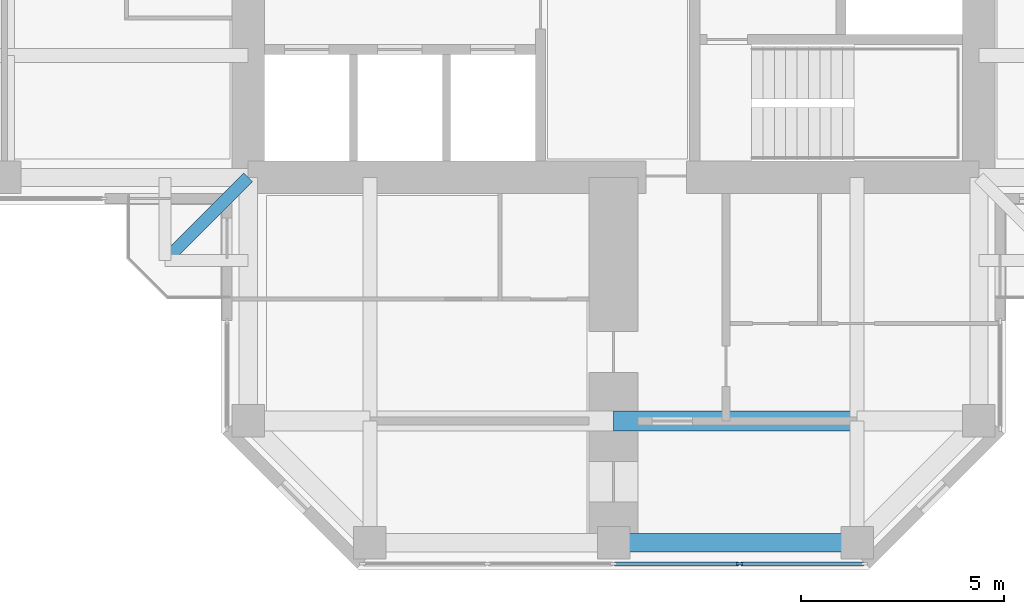
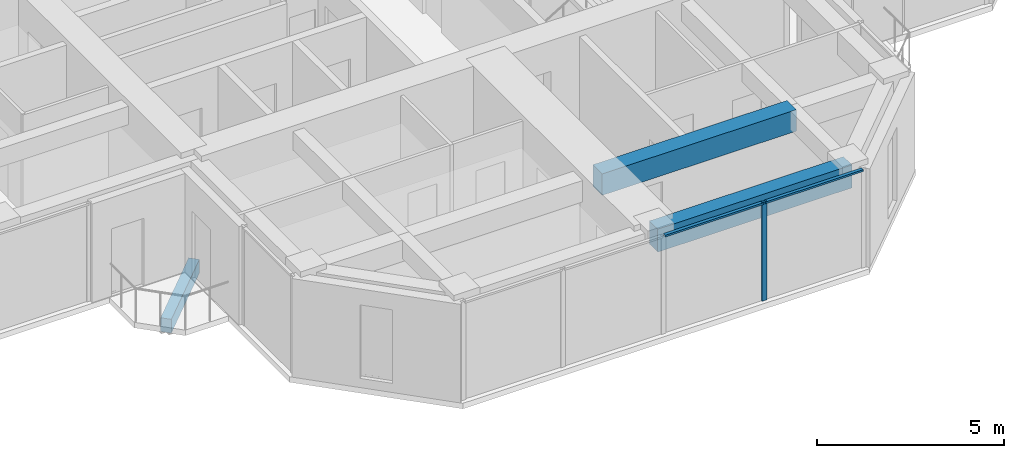
# One storey, part 3 of 13: 3 beams, 3 members, 1 element without a shape of its own.
"""IFC4 building model written with IfcOpenShell, lengths in metres."""

from ifc_helpers import new_model, si_unit, direction, frame, origin, origin_2d, place, context, subcontext, project, spatial, rectangle, extrude, material, material_profile, profile_set, type_object, element, aggregate, save


model = new_model("IFC4")

# Units and contexts
model_context = context("Model", 3, precision=1e-05, world=origin(), true_north=direction((0.0, 1.0)))
body_context = subcontext(model_context, "Body", "Model", "MODEL_VIEW")
ifc_project = project(units=[si_unit("LENGTHUNIT", "METRE"), si_unit("AREAUNIT", "SQUARE_METRE"), si_unit("VOLUMEUNIT", "CUBIC_METRE"), si_unit("PLANEANGLEUNIT", "RADIAN"), si_unit("MASSUNIT", "GRAM", prefix="KILO")], contexts=[model_context])

# Site, building, storey
site_placement = place(None, origin())
site = spatial("IfcSite", under=ifc_project, at=site_placement, CompositionType="ELEMENT")
building_placement = place(site_placement, origin())
building = spatial("IfcBuilding", under=site, at=building_placement, Name="Torre Cruceta", CompositionType="ELEMENT")
storey_placement = place(building_placement, frame((0.0, 0.0, 232.300048828125)))
storey = spatial("IfcBuildingStorey", under=building, at=storey_placement, Name="L59", CompositionType="ELEMENT", Elevation=232.300048828125)

# Beams
ifc_material_1 = material(Name="Concrete G60 (fck 60 MPa)", Category="concrete")
ifc_material_profile_1 = material_profile(ifc_material_1, rectangle(XDim=0.300048828125, YDim=0.449951171875, at=origin_2d()), Name="RC 300X450")
ifc_profile_set_1 = profile_set([ifc_material_profile_1], Name="Concrete G60 (fck 60 MPa)")
beam_type_1 = type_object("IfcBeamType", Name="BALCONY CANTILEVER BEAM RC 300X450", PredefinedType="BEAM", material=ifc_profile_set_1)
beam_1_placement = place(storey_placement, frame((-9.0, -9.0, -0.405029296875), z_axis=(-0.707106781187, -0.707106781187, 0.0), x_axis=(0.707106781187, -0.707106781187, 0.0)))
element("IfcBeam", 1, at=beam_1_placement, inside=storey, type_object=beam_type_1, Name="BB1 balcony beam L59 W", PredefinedType="BEAM", context=body_context, shape_type="SweptSolid", body=[
    extrude(rectangle(XDim=0.300048828125, YDim=0.449951171875, at=origin_2d()), origin(), (0.0, 0.0, 1.0), 2.89990234375),
])
ifc_material_2 = material(Name="Concrete G60 (fck 60 MPa)", Category="concrete")
ifc_material_profile_2 = material_profile(ifc_material_2, rectangle(XDim=0.5, YDim=0.699951171875, at=origin_2d()), Name="RC 500X700")
ifc_profile_set_2 = profile_set([ifc_material_profile_2], Name="Concrete G60 (fck 60 MPa)")
beam_type_2 = type_object("IfcBeamType", Name="CROSS BEAM RC 500X700", PredefinedType="BEAM", material=ifc_profile_set_2)
beam_2_placement = place(storey_placement, frame((0.0, -15.0, 2.869873046875), z_axis=(1.0, 0.0, 0.0), x_axis=(0.0, 1.0, 0.0)))
element("IfcBeam", 2, at=beam_2_placement, inside=storey, type_object=beam_type_2, Name="GB7 L59 S cross15 3", PredefinedType="BEAM", context=body_context, shape_type="SweptSolid", body=[
    extrude(rectangle(XDim=0.5, YDim=0.699951171875, at=origin_2d()), origin(), (0.0, 0.0, 1.0), 6.0),
])

# Curtain wall, members
ifc_material_3 = material(Name="Aluminium unitised curtain wall", Category="aluminium")
curtain_wall_type = type_object("IfcCurtainWallType", Name="CURTAIN WALL CW-D CO-LIVING UPPER", PredefinedType="USERDEFINED", material=ifc_material_3)
curtain_wall_placement = place(storey_placement, origin())
curtain_wall = element("IfcCurtainWall", 3, at=curtain_wall_placement, inside=storey, type_object=curtain_wall_type, Name="CW-D L59 S tip 17", ObjectType="UNITISED", PredefinedType="USERDEFINED")
ifc_material_4 = material(Name="Aluminium mullion", Category="aluminium")
ifc_material_profile_3 = material_profile(ifc_material_4, rectangle(XDim=0.06005859375, YDim=0.14990234375, at=origin_2d()), Name="AL 60X150")
ifc_profile_set_3 = profile_set([ifc_material_profile_3], Name="Aluminium mullion")
member_type_1 = type_object("IfcMemberType", Name="CW-D MULLION 60X150", PredefinedType="MULLION", material=ifc_profile_set_3)
member_1_placement = place(storey_placement, frame((3.107666015625, -18.52001953125, 0.0), z_axis=(0.0, 0.0, 1.0), x_axis=(0.0, 1.0, 0.0)))
member_1 = element("IfcMember", 4, at=member_1_placement, type_object=member_type_1, Name="CW-D mullion 4", PredefinedType="MULLION", context=body_context, shape_type="SweptSolid", body=[
    extrude(rectangle(XDim=0.06005859375, YDim=0.14990234375, at=origin_2d()), origin(), (0.0, 0.0, 1.0), 3.219970703125),
])
ifc_material_5 = material(Name="Aluminium transom", Category="aluminium")
ifc_material_profile_4 = material_profile(ifc_material_5, rectangle(XDim=0.10009765625, YDim=0.06005859375, at=origin_2d()), Name="AL 100X60")
ifc_profile_set_4 = profile_set([ifc_material_profile_4], Name="Aluminium transom")
member_type_2 = type_object("IfcMemberType", Name="CW-D TRANSOM 60X100", PredefinedType="USERDEFINED", material=ifc_profile_set_4)
member_2_placement = place(storey_placement, frame((0.030029296875, -18.52001953125, 3.18994140625), z_axis=(1.0, 0.0, 0.0), x_axis=(0.0, 1.0, 0.0)))
member_2 = element("IfcMember", 5, at=member_2_placement, type_object=member_type_2, Name="CW-D transom 3", ObjectType="TRANSOM", PredefinedType="USERDEFINED", context=body_context, shape_type="SweptSolid", body=[
    extrude(rectangle(XDim=0.10009765625, YDim=0.06005859375, at=origin_2d()), origin(), (0.0, 0.0, 1.0), 3.047607421875),
])
member_3_placement = place(storey_placement, frame((3.1376953125, -18.52001953125, 3.18994140625), z_axis=(1.0, 0.0, 0.0), x_axis=(0.0, 1.0, 0.0)))
member_3 = element("IfcMember", 6, at=member_3_placement, type_object=member_type_2, Name="CW-D transom 4", ObjectType="TRANSOM", PredefinedType="USERDEFINED", context=body_context, shape_type="SweptSolid", body=[
    extrude(rectangle(XDim=0.10009765625, YDim=0.06005859375, at=origin_2d()), origin(), (0.0, 0.0, 1.0), 3.017578125),
])
aggregate(curtain_wall, [member_1, member_2, member_3])

# Beam
ifc_material_6 = material(Name="Concrete G60 (fck 60 MPa)", Category="concrete")
ifc_material_profile_5 = material_profile(ifc_material_6, rectangle(XDim=0.449951171875, YDim=0.75, at=origin_2d()), Name="RC 450X750")
ifc_profile_set_5 = profile_set([ifc_material_profile_5], Name="Concrete G60 (fck 60 MPa)")
beam_type_3 = type_object("IfcBeamType", Name="SPANDREL BEAM RC 450X750", PredefinedType="SPANDREL", material=ifc_profile_set_5)
beam_3_placement = place(storey_placement, frame((0.0, -18.0, 2.844970703125), z_axis=(1.0, 0.0, 0.0), x_axis=(0.0, 1.0, 0.0)))
element("IfcBeam", 7, at=beam_3_placement, inside=storey, type_object=beam_type_3, Name="SB7 L59 S tip 2", PredefinedType="SPANDREL", context=body_context, shape_type="SweptSolid", body=[
    extrude(rectangle(XDim=0.449951171875, YDim=0.75, at=origin_2d()), origin(), (0.0, 0.0, 1.0), 6.0),
])

save(model, "model.ifc")
